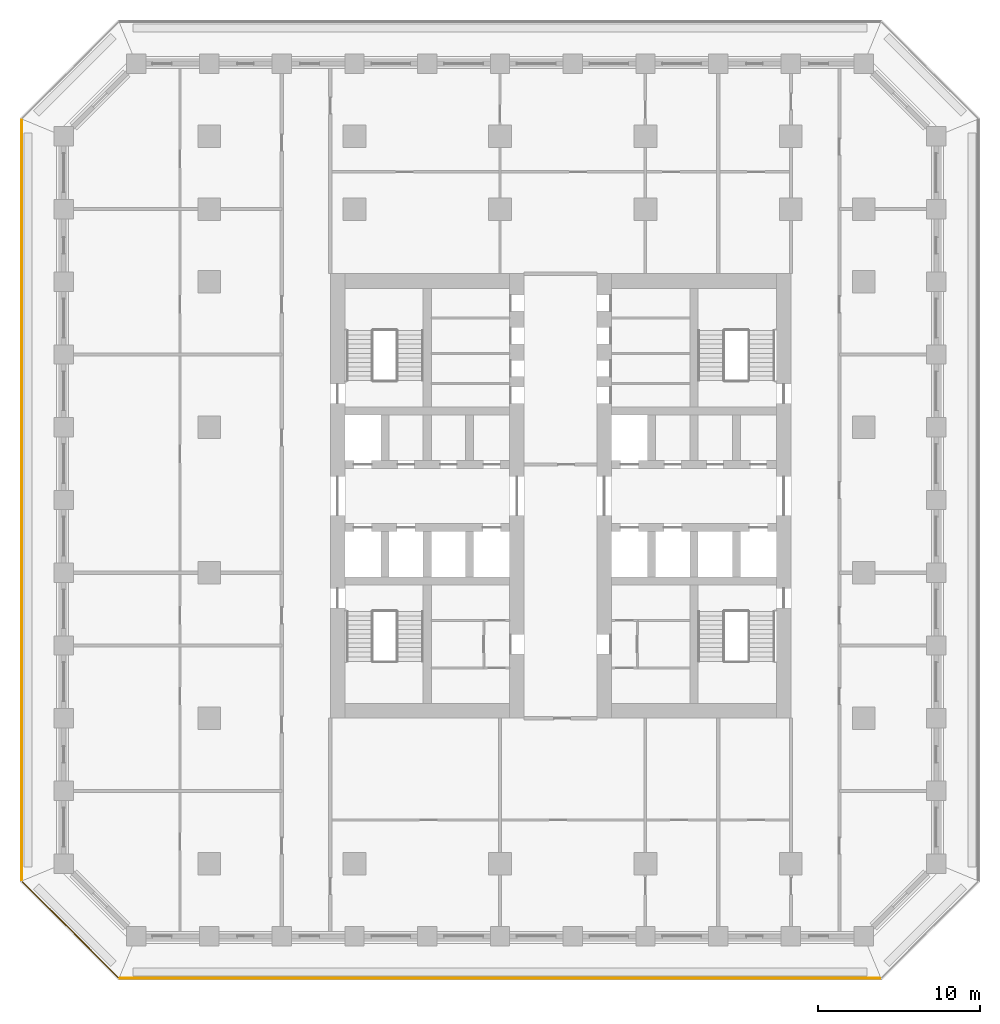
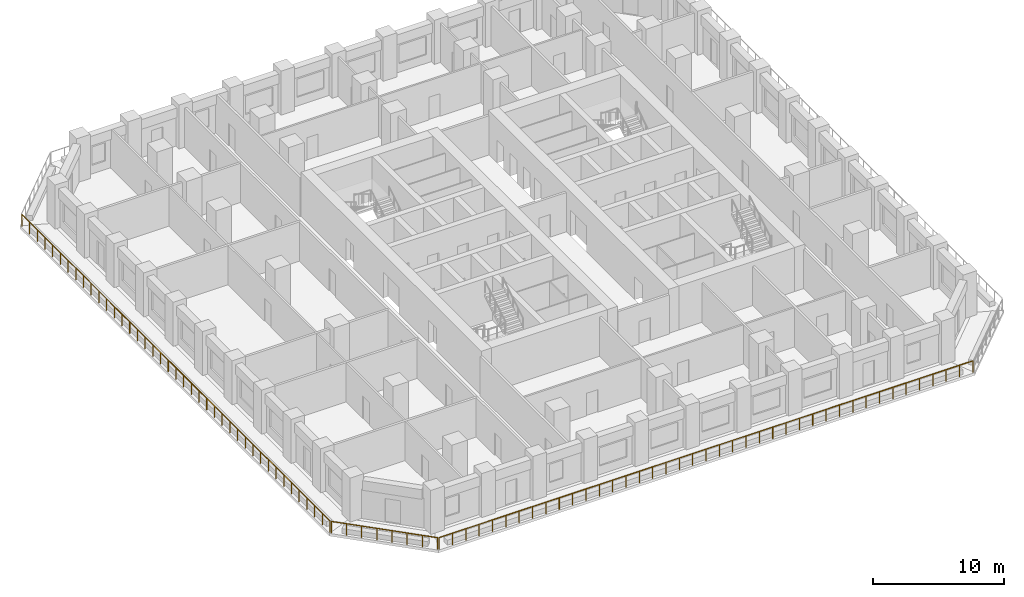
# One storey, part 9 of 16: 3 railings.
"""IFC4 building model written with IfcOpenShell, lengths in metres."""

from ifc_helpers import new_model, si_unit, direction, frame, origin, origin_2d, place, context, subcontext, project, spatial, circle, extrude, material, type_object, element, save


model = new_model("IFC4")

# Units and contexts
model_context = context("Model", 3, precision=1e-05, world=origin(), true_north=direction((0.0, 1.0)))
body_context = subcontext(model_context, "Body", "Model", "MODEL_VIEW")
ifc_project = project(units=[si_unit("LENGTHUNIT", "METRE"), si_unit("AREAUNIT", "SQUARE_METRE"), si_unit("VOLUMEUNIT", "CUBIC_METRE"), si_unit("PLANEANGLEUNIT", "RADIAN"), si_unit("MASSUNIT", "GRAM", prefix="KILO")], contexts=[model_context])

# Site, building, storey
site_placement = place(None, origin())
site = spatial("IfcSite", under=ifc_project, at=site_placement, CompositionType="ELEMENT")
building_placement = place(site_placement, origin())
building = spatial("IfcBuilding", under=site, at=building_placement, Name="Corbel Stack Research Tower", CompositionType="ELEMENT")
storey_placement = place(building_placement, frame((0.0, 0.0, 120.800048828125)))
storey = spatial("IfcBuildingStorey", under=building, at=storey_placement, Name="L27", CompositionType="ELEMENT", Elevation=120.800048828125)

# Railings
ifc_material = material(Name="Powder-coated steel guard", Category="steel")
railing_type = type_object("IfcRailingType", Name="Steel and glass guard 1100", PredefinedType="GUARDRAIL", material=ifc_material)
railing_1_placement = place(storey_placement, frame((-23.50537109375, -25.10009765625, 0.0)))
element("IfcRailing", 1, at=railing_1_placement, inside=storey, type_object=railing_type, Name="Loggia guard L27 S", PredefinedType="GUARDRAIL", context=body_context, shape_type="SweptSolid", body=[
    extrude(circle(Radius=0.02392578125, at=origin_2d()), frame((0.0, 0.0, 1.076171875), z_axis=(1.0, 0.0, 0.0), x_axis=(0.0, 1.0, 0.0)), (0.0, 0.0, 1.0), 47.0107421875),
    extrude(circle(Radius=0.02099609375, at=origin_2d()), origin(), (0.0, 0.0, 1.0), 1.052001953125),
    extrude(circle(Radius=0.02099609375, at=origin_2d()), frame((1.17529296875, 0.0, 0.0)), (0.0, 0.0, 1.0), 1.052001953125),
    extrude(circle(Radius=0.02099609375, at=origin_2d()), frame((2.3505859375, 0.0, 0.0)), (0.0, 0.0, 1.0), 1.052001953125),
    extrude(circle(Radius=0.02099609375, at=origin_2d()), frame((3.52587890625, 0.0, 0.0)), (0.0, 0.0, 1.0), 1.052001953125),
    extrude(circle(Radius=0.02099609375, at=origin_2d()), frame((4.701171875, 0.0, 0.0)), (0.0, 0.0, 1.0), 1.052001953125),
    extrude(circle(Radius=0.02099609375, at=origin_2d()), frame((5.87646484375, 0.0, 0.0)), (0.0, 0.0, 1.0), 1.052001953125),
    extrude(circle(Radius=0.02099609375, at=origin_2d()), frame((7.051513671875, 0.0, 0.0)), (0.0, 0.0, 1.0), 1.052001953125),
    extrude(circle(Radius=0.02099609375, at=origin_2d()), frame((8.226806640625, 0.0, 0.0)), (0.0, 0.0, 1.0), 1.052001953125),
    extrude(circle(Radius=0.02099609375, at=origin_2d()), frame((9.402099609375, 0.0, 0.0)), (0.0, 0.0, 1.0), 1.052001953125),
    extrude(circle(Radius=0.02099609375, at=origin_2d()), frame((10.577392578125, 0.0, 0.0)), (0.0, 0.0, 1.0), 1.052001953125),
    extrude(circle(Radius=0.02099609375, at=origin_2d()), frame((11.752685546875, 0.0, 0.0)), (0.0, 0.0, 1.0), 1.052001953125),
    extrude(circle(Radius=0.02099609375, at=origin_2d()), frame((12.927978515625, 0.0, 0.0)), (0.0, 0.0, 1.0), 1.052001953125),
    extrude(circle(Radius=0.02099609375, at=origin_2d()), frame((14.103271484375, 0.0, 0.0)), (0.0, 0.0, 1.0), 1.052001953125),
    extrude(circle(Radius=0.02099609375, at=origin_2d()), frame((15.278564453125, 0.0, 0.0)), (0.0, 0.0, 1.0), 1.052001953125),
    extrude(circle(Radius=0.02099609375, at=origin_2d()), frame((16.453857421875, 0.0, 0.0)), (0.0, 0.0, 1.0), 1.052001953125),
    extrude(circle(Radius=0.02099609375, at=origin_2d()), frame((17.62890625, 0.0, 0.0)), (0.0, 0.0, 1.0), 1.052001953125),
    extrude(circle(Radius=0.02099609375, at=origin_2d()), frame((18.80419921875, 0.0, 0.0)), (0.0, 0.0, 1.0), 1.052001953125),
    extrude(circle(Radius=0.02099609375, at=origin_2d()), frame((19.9794921875, 0.0, 0.0)), (0.0, 0.0, 1.0), 1.052001953125),
    extrude(circle(Radius=0.02099609375, at=origin_2d()), frame((21.15478515625, 0.0, 0.0)), (0.0, 0.0, 1.0), 1.052001953125),
    extrude(circle(Radius=0.02099609375, at=origin_2d()), frame((22.330078125, 0.0, 0.0)), (0.0, 0.0, 1.0), 1.052001953125),
    extrude(circle(Radius=0.02099609375, at=origin_2d()), frame((23.50537109375, 0.0, 0.0)), (0.0, 0.0, 1.0), 1.052001953125),
    extrude(circle(Radius=0.02099609375, at=origin_2d()), frame((24.6806640625, 0.0, 0.0)), (0.0, 0.0, 1.0), 1.052001953125),
    extrude(circle(Radius=0.02099609375, at=origin_2d()), frame((25.85595703125, 0.0, 0.0)), (0.0, 0.0, 1.0), 1.052001953125),
    extrude(circle(Radius=0.02099609375, at=origin_2d()), frame((27.03125, 0.0, 0.0)), (0.0, 0.0, 1.0), 1.052001953125),
    extrude(circle(Radius=0.02099609375, at=origin_2d()), frame((28.20654296875, 0.0, 0.0)), (0.0, 0.0, 1.0), 1.052001953125),
    extrude(circle(Radius=0.02099609375, at=origin_2d()), frame((29.3818359375, 0.0, 0.0)), (0.0, 0.0, 1.0), 1.052001953125),
    extrude(circle(Radius=0.02099609375, at=origin_2d()), frame((30.556884765625, 0.0, 0.0)), (0.0, 0.0, 1.0), 1.052001953125),
    extrude(circle(Radius=0.02099609375, at=origin_2d()), frame((31.732177734375, 0.0, 0.0)), (0.0, 0.0, 1.0), 1.052001953125),
    extrude(circle(Radius=0.02099609375, at=origin_2d()), frame((32.907470703125, 0.0, 0.0)), (0.0, 0.0, 1.0), 1.052001953125),
    extrude(circle(Radius=0.02099609375, at=origin_2d()), frame((34.082763671875, 0.0, 0.0)), (0.0, 0.0, 1.0), 1.052001953125),
    extrude(circle(Radius=0.02099609375, at=origin_2d()), frame((35.258056640625, 0.0, 0.0)), (0.0, 0.0, 1.0), 1.052001953125),
    extrude(circle(Radius=0.02099609375, at=origin_2d()), frame((36.433349609375, 0.0, 0.0)), (0.0, 0.0, 1.0), 1.052001953125),
    extrude(circle(Radius=0.02099609375, at=origin_2d()), frame((37.608642578125, 0.0, 0.0)), (0.0, 0.0, 1.0), 1.052001953125),
    extrude(circle(Radius=0.02099609375, at=origin_2d()), frame((38.783935546875, 0.0, 0.0)), (0.0, 0.0, 1.0), 1.052001953125),
    extrude(circle(Radius=0.02099609375, at=origin_2d()), frame((39.959228515625, 0.0, 0.0)), (0.0, 0.0, 1.0), 1.052001953125),
    extrude(circle(Radius=0.02099609375, at=origin_2d()), frame((41.13427734375, 0.0, 0.0)), (0.0, 0.0, 1.0), 1.052001953125),
    extrude(circle(Radius=0.02099609375, at=origin_2d()), frame((42.3095703125, 0.0, 0.0)), (0.0, 0.0, 1.0), 1.052001953125),
    extrude(circle(Radius=0.02099609375, at=origin_2d()), frame((43.48486328125, 0.0, 0.0)), (0.0, 0.0, 1.0), 1.052001953125),
    extrude(circle(Radius=0.02099609375, at=origin_2d()), frame((44.66015625, 0.0, 0.0)), (0.0, 0.0, 1.0), 1.052001953125),
    extrude(circle(Radius=0.02099609375, at=origin_2d()), frame((45.83544921875, 0.0, 0.0)), (0.0, 0.0, 1.0), 1.052001953125),
    extrude(circle(Radius=0.02099609375, at=origin_2d()), frame((47.0107421875, 0.0, 0.0)), (0.0, 0.0, 1.0), 1.052001953125),
])
railing_2_placement = place(storey_placement, frame((-29.60009765625, 28.00537109375, 0.0)))
element("IfcRailing", 2, at=railing_2_placement, inside=storey, type_object=railing_type, Name="Loggia guard L27 W", PredefinedType="GUARDRAIL", context=body_context, shape_type="SweptSolid", body=[
    extrude(circle(Radius=0.02392578125, at=origin_2d()), frame((0.0, 0.0, 1.076171875), z_axis=(0.0, -1.0, 0.0), x_axis=(1.0, 0.0, 0.0)), (0.0, 0.0, 1.0), 47.0107421875),
    extrude(circle(Radius=0.02099609375, at=origin_2d()), origin(), (0.0, 0.0, 1.0), 1.052001953125),
    extrude(circle(Radius=0.02099609375, at=origin_2d()), frame((0.0, -1.17529296875, 0.0)), (0.0, 0.0, 1.0), 1.052001953125),
    extrude(circle(Radius=0.02099609375, at=origin_2d()), frame((0.0, -2.3505859375, 0.0)), (0.0, 0.0, 1.0), 1.052001953125),
    extrude(circle(Radius=0.02099609375, at=origin_2d()), frame((0.0, -3.52587890625, 0.0)), (0.0, 0.0, 1.0), 1.052001953125),
    extrude(circle(Radius=0.02099609375, at=origin_2d()), frame((0.0, -4.701171875, 0.0)), (0.0, 0.0, 1.0), 1.052001953125),
    extrude(circle(Radius=0.02099609375, at=origin_2d()), frame((0.0, -5.87646484375, 0.0)), (0.0, 0.0, 1.0), 1.052001953125),
    extrude(circle(Radius=0.02099609375, at=origin_2d()), frame((0.0, -7.051513671875, 0.0)), (0.0, 0.0, 1.0), 1.052001953125),
    extrude(circle(Radius=0.02099609375, at=origin_2d()), frame((0.0, -8.226806640625, 0.0)), (0.0, 0.0, 1.0), 1.052001953125),
    extrude(circle(Radius=0.02099609375, at=origin_2d()), frame((0.0, -9.402099609375, 0.0)), (0.0, 0.0, 1.0), 1.052001953125),
    extrude(circle(Radius=0.02099609375, at=origin_2d()), frame((0.0, -10.577392578125, 0.0)), (0.0, 0.0, 1.0), 1.052001953125),
    extrude(circle(Radius=0.02099609375, at=origin_2d()), frame((0.0, -11.752685546875, 0.0)), (0.0, 0.0, 1.0), 1.052001953125),
    extrude(circle(Radius=0.02099609375, at=origin_2d()), frame((0.0, -12.927978515625, 0.0)), (0.0, 0.0, 1.0), 1.052001953125),
    extrude(circle(Radius=0.02099609375, at=origin_2d()), frame((0.0, -14.103271484375, 0.0)), (0.0, 0.0, 1.0), 1.052001953125),
    extrude(circle(Radius=0.02099609375, at=origin_2d()), frame((0.0, -15.278564453125, 0.0)), (0.0, 0.0, 1.0), 1.052001953125),
    extrude(circle(Radius=0.02099609375, at=origin_2d()), frame((0.0, -16.453857421875, 0.0)), (0.0, 0.0, 1.0), 1.052001953125),
    extrude(circle(Radius=0.02099609375, at=origin_2d()), frame((0.0, -17.62890625, 0.0)), (0.0, 0.0, 1.0), 1.052001953125),
    extrude(circle(Radius=0.02099609375, at=origin_2d()), frame((0.0, -18.80419921875, 0.0)), (0.0, 0.0, 1.0), 1.052001953125),
    extrude(circle(Radius=0.02099609375, at=origin_2d()), frame((0.0, -19.9794921875, 0.0)), (0.0, 0.0, 1.0), 1.052001953125),
    extrude(circle(Radius=0.02099609375, at=origin_2d()), frame((0.0, -21.15478515625, 0.0)), (0.0, 0.0, 1.0), 1.052001953125),
    extrude(circle(Radius=0.02099609375, at=origin_2d()), frame((0.0, -22.330078125, 0.0)), (0.0, 0.0, 1.0), 1.052001953125),
    extrude(circle(Radius=0.02099609375, at=origin_2d()), frame((0.0, -23.50537109375, 0.0)), (0.0, 0.0, 1.0), 1.052001953125),
    extrude(circle(Radius=0.02099609375, at=origin_2d()), frame((0.0, -24.6806640625, 0.0)), (0.0, 0.0, 1.0), 1.052001953125),
    extrude(circle(Radius=0.02099609375, at=origin_2d()), frame((0.0, -25.85595703125, 0.0)), (0.0, 0.0, 1.0), 1.052001953125),
    extrude(circle(Radius=0.02099609375, at=origin_2d()), frame((0.0, -27.03125, 0.0)), (0.0, 0.0, 1.0), 1.052001953125),
    extrude(circle(Radius=0.02099609375, at=origin_2d()), frame((0.0, -28.20654296875, 0.0)), (0.0, 0.0, 1.0), 1.052001953125),
    extrude(circle(Radius=0.02099609375, at=origin_2d()), frame((0.0, -29.3818359375, 0.0)), (0.0, 0.0, 1.0), 1.052001953125),
    extrude(circle(Radius=0.02099609375, at=origin_2d()), frame((0.0, -30.556884765625, 0.0)), (0.0, 0.0, 1.0), 1.052001953125),
    extrude(circle(Radius=0.02099609375, at=origin_2d()), frame((0.0, -31.732177734375, 0.0)), (0.0, 0.0, 1.0), 1.052001953125),
    extrude(circle(Radius=0.02099609375, at=origin_2d()), frame((0.0, -32.907470703125, 0.0)), (0.0, 0.0, 1.0), 1.052001953125),
    extrude(circle(Radius=0.02099609375, at=origin_2d()), frame((0.0, -34.082763671875, 0.0)), (0.0, 0.0, 1.0), 1.052001953125),
    extrude(circle(Radius=0.02099609375, at=origin_2d()), frame((0.0, -35.258056640625, 0.0)), (0.0, 0.0, 1.0), 1.052001953125),
    extrude(circle(Radius=0.02099609375, at=origin_2d()), frame((0.0, -36.433349609375, 0.0)), (0.0, 0.0, 1.0), 1.052001953125),
    extrude(circle(Radius=0.02099609375, at=origin_2d()), frame((0.0, -37.608642578125, 0.0)), (0.0, 0.0, 1.0), 1.052001953125),
    extrude(circle(Radius=0.02099609375, at=origin_2d()), frame((0.0, -38.783935546875, 0.0)), (0.0, 0.0, 1.0), 1.052001953125),
    extrude(circle(Radius=0.02099609375, at=origin_2d()), frame((0.0, -39.959228515625, 0.0)), (0.0, 0.0, 1.0), 1.052001953125),
    extrude(circle(Radius=0.02099609375, at=origin_2d()), frame((0.0, -41.13427734375, 0.0)), (0.0, 0.0, 1.0), 1.052001953125),
    extrude(circle(Radius=0.02099609375, at=origin_2d()), frame((0.0, -42.3095703125, 0.0)), (0.0, 0.0, 1.0), 1.052001953125),
    extrude(circle(Radius=0.02099609375, at=origin_2d()), frame((0.0, -43.48486328125, 0.0)), (0.0, 0.0, 1.0), 1.052001953125),
    extrude(circle(Radius=0.02099609375, at=origin_2d()), frame((0.0, -44.66015625, 0.0)), (0.0, 0.0, 1.0), 1.052001953125),
    extrude(circle(Radius=0.02099609375, at=origin_2d()), frame((0.0, -45.83544921875, 0.0)), (0.0, 0.0, 1.0), 1.052001953125),
    extrude(circle(Radius=0.02099609375, at=origin_2d()), frame((0.0, -47.0107421875, 0.0)), (0.0, 0.0, 1.0), 1.052001953125),
])
railing_3_placement = place(storey_placement, frame((-29.54931640625, -19.127685546875, 0.0)))
element("IfcRailing", 3, at=railing_3_placement, inside=storey, type_object=railing_type, Name="Loggia guard L27 SW", PredefinedType="GUARDRAIL", context=body_context, shape_type="SweptSolid", body=[
    extrude(circle(Radius=0.02392578125, at=origin_2d()), frame((0.0, 0.0, 1.076171875), z_axis=(0.707106781187, -0.707106781187, 0.0), x_axis=(0.707106781187, 0.707106781187, 0.0)), (0.0, 0.0, 1.0), 8.37451171875),
    extrude(circle(Radius=0.02099609375, at=origin_2d()), origin(), (0.0, 0.0, 1.0), 1.052001953125),
    extrude(circle(Radius=0.02099609375, at=origin_2d()), frame((0.845947265625, -0.845947265625, 0.0)), (0.0, 0.0, 1.0), 1.052001953125),
    extrude(circle(Radius=0.02099609375, at=origin_2d()), frame((1.69189453125, -1.69189453125, 0.0)), (0.0, 0.0, 1.0), 1.052001953125),
    extrude(circle(Radius=0.02099609375, at=origin_2d()), frame((2.537841796875, -2.537841796875, 0.0)), (0.0, 0.0, 1.0), 1.052001953125),
    extrude(circle(Radius=0.02099609375, at=origin_2d()), frame((3.3837890625, -3.3837890625, 0.0)), (0.0, 0.0, 1.0), 1.052001953125),
    extrude(circle(Radius=0.02099609375, at=origin_2d()), frame((4.229736328125, -4.229736328125, 0.0)), (0.0, 0.0, 1.0), 1.052001953125),
    extrude(circle(Radius=0.02099609375, at=origin_2d()), frame((5.07568359375, -5.07568359375, 0.0)), (0.0, 0.0, 1.0), 1.052001953125),
    extrude(circle(Radius=0.02099609375, at=origin_2d()), frame((5.921630859375, -5.921630859375, 0.0)), (0.0, 0.0, 1.0), 1.052001953125),
])

save(model, "model.ifc")
